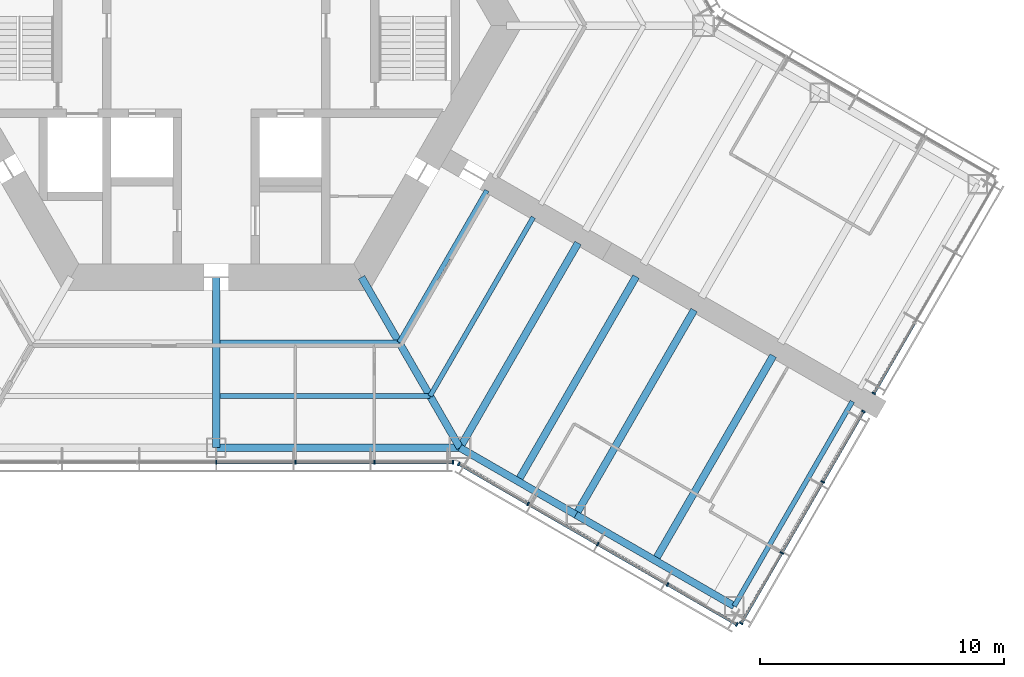
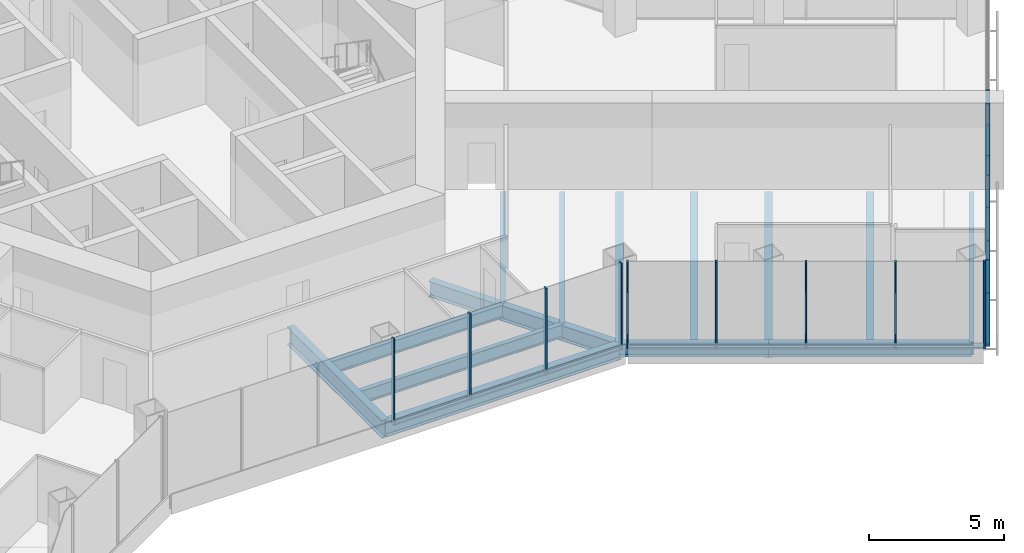
# One storey, part 5 of 18: 25 members, 14 beams, 4 elements without a shape of their own.
"""IFC4 building model written with IfcOpenShell, lengths in metres."""

from ifc_helpers import new_model, si_unit, direction, frame, origin, origin_2d, place, context, subcontext, project, spatial, rectangle, i_section, extrude, material, material_profile, profile_set, type_object, element, aggregate, save


model = new_model("IFC4")

# Units and contexts
model_context = context("Model", 3, precision=1e-05, world=origin(), true_north=direction((0.0, 1.0)))
body_context = subcontext(model_context, "Body", "Model", "MODEL_VIEW")
ifc_project = project(units=[si_unit("LENGTHUNIT", "METRE"), si_unit("AREAUNIT", "SQUARE_METRE"), si_unit("VOLUMEUNIT", "CUBIC_METRE"), si_unit("PLANEANGLEUNIT", "RADIAN"), si_unit("MASSUNIT", "GRAM", prefix="KILO")], contexts=[model_context])

# Site, building, storey
site_placement = place(None, origin())
site = spatial("IfcSite", under=ifc_project, at=site_placement, CompositionType="ELEMENT")
building_placement = place(site_placement, origin())
building = spatial("IfcBuilding", under=site, at=building_placement, Name="Kasaneha Research Tower", CompositionType="ELEMENT")
storey_placement = place(building_placement, frame((0.0, 0.0, 111.89990234375)))
storey = spatial("IfcBuildingStorey", under=building, at=storey_placement, Name="L28", CompositionType="ELEMENT", Elevation=111.89990234375)

# Beams
ifc_material_1 = material(Name="Steel SN490B", Category="steel")
ifc_material_profile_1 = material_profile(ifc_material_1, i_section(OverallWidth=0.199951171875, OverallDepth=0.60009765625, WebThickness=0.010986328125, FlangeThickness=0.01708984375, FilletRadius=0.012939453125, at=origin_2d()), Name="H-600x200x11x17")
ifc_profile_set_1 = profile_set([ifc_material_profile_1], Name="Steel SN490B")
beam_type_1 = type_object("IfcBeamType", Name="B1-3 secondary beam H-600x200x11x17", PredefinedType="JOIST", material=ifc_profile_set_1)
beam_1_placement = place(storey_placement, frame((7.505615234375, -13.0, -0.449951171875), z_axis=(-1.0, 0.0, 0.0), x_axis=(0.0, -1.0, 0.0)))
element("IfcBeam", 1, at=beam_1_placement, inside=storey, type_object=beam_type_1, Name="Secondary beam RS270R1 L28", PredefinedType="JOIST", context=body_context, shape_type="SweptSolid", body=[
    extrude(i_section(OverallWidth=0.199951171875, OverallDepth=0.60009765625, WebThickness=0.010986328125, FlangeThickness=0.01708984375, FilletRadius=0.012939453125, at=origin_2d()), origin(), (0.0, 0.0, 1.0), 7.355712890625),
])
beam_2_placement = place(storey_placement, frame((8.775634765625, -15.199951171875, -0.449951171875), z_axis=(-1.0, 0.0, 0.0), x_axis=(0.0, -1.0, 0.0)))
element("IfcBeam", 2, at=beam_2_placement, inside=storey, type_object=beam_type_1, Name="Secondary beam RS270R2 L28", PredefinedType="JOIST", context=body_context, shape_type="SweptSolid", body=[
    extrude(i_section(OverallWidth=0.199951171875, OverallDepth=0.60009765625, WebThickness=0.010986328125, FlangeThickness=0.01708984375, FilletRadius=0.012939453125, at=origin_2d()), origin(), (0.0, 0.0, 1.0), 8.625732421875),
])
beam_3_placement = place(storey_placement, frame((7.505615234375, -13.0, -0.449951171875), z_axis=(0.499998147991, 0.86602647304, 0.0), x_axis=(-0.86602647304, 0.499998147991, 0.0)))
element("IfcBeam", 3, at=beam_3_placement, inside=storey, type_object=beam_type_1, Name="Secondary beam RS330L1 L28", PredefinedType="JOIST", context=body_context, shape_type="SweptSolid", body=[
    extrude(i_section(OverallWidth=0.199951171875, OverallDepth=0.60009765625, WebThickness=0.010986328125, FlangeThickness=0.01708984375, FilletRadius=0.012939453125, at=origin_2d()), origin(), (0.0, 0.0, 1.0), 7.20556640625),
])
beam_4_placement = place(storey_placement, frame((8.775634765625, -15.199951171875, -0.449951171875), z_axis=(0.500020829043, 0.866013377797, 0.0), x_axis=(-0.866013377797, 0.500020829043, 0.0)))
element("IfcBeam", 4, at=beam_4_placement, inside=storey, type_object=beam_type_1, Name="Secondary beam RS330L2 L28", PredefinedType="JOIST", context=body_context, shape_type="SweptSolid", body=[
    extrude(i_section(OverallWidth=0.199951171875, OverallDepth=0.60009765625, WebThickness=0.010986328125, FlangeThickness=0.01708984375, FilletRadius=0.012939453125, at=origin_2d()), origin(), (0.0, 0.0, 1.0), 8.475830078125),
])
ifc_material_2 = material(Name="Steel SN490B", Category="steel")
ifc_material_profile_2 = material_profile(ifc_material_2, i_section(OverallWidth=0.300048828125, OverallDepth=0.58203125, WebThickness=0.011962890625, FlangeThickness=0.01708984375, FilletRadius=0.012939453125, at=origin_2d()), Name="H-582x300x12x17")
ifc_profile_set_2 = profile_set([ifc_material_profile_2], Name="Steel SN490B")
beam_type_2 = type_object("IfcBeamType", Name="B2-3 secondary beam H-582x300x12x17", PredefinedType="JOIST", material=ifc_profile_set_2)
for number, where, z_axis, x_axis, name in (
    (5, (12.381591796875, -18.695556640625, -0.44091796875), (0.500010041276, 0.866019606374, 0.0), (-0.866019606374, 0.500010041276, 0.0), "Secondary beam WBCP1 L28"),
    (6, (18.0107421875, -21.945556640625, -0.44091796875), (0.500010041276, 0.866019606374, 0.0), (-0.866019606374, 0.500010041276, 0.0), "Secondary beam WBCP2 L28"),
):
    element("IfcBeam", number, at=place(storey_placement, frame(where, z_axis=z_axis, x_axis=x_axis)), inside=storey, type_object=beam_type_2, Name=name, PredefinedType="JOIST", context=body_context, shape_type="SweptSolid", body=[
        extrude(i_section(OverallWidth=0.300048828125, OverallDepth=0.58203125, WebThickness=0.011962890625, FlangeThickness=0.01708984375, FilletRadius=0.012939453125, at=origin_2d()), origin(), (0.0, 0.0, 1.0), 9.699951171875),
    ])

# Curtain wall, members
ifc_material_3 = material(Name="Glass and aluminium", Category="aluminium")
curtain_wall_type = type_object("IfcCurtainWallType", Name="Low-rise office curtain wall", PredefinedType="USERDEFINED", material=ifc_material_3)
curtain_wall_1_placement = place(storey_placement, origin())
curtain_wall_1 = element("IfcCurtainWall", 7, at=curtain_wall_1_placement, inside=storey, type_object=curtain_wall_type, Name="CW-O1 L28 run 02a", ObjectType="UNITISED CURTAIN WALL", PredefinedType="USERDEFINED")
ifc_material_4 = material(Name="Aluminium 6063-T6", Category="aluminium")
ifc_material_profile_3 = material_profile(ifc_material_4, rectangle(XDim=0.06005859375, YDim=0.159912109375, at=origin_2d()), Name="CW-O1 mullion 60x160")
ifc_profile_set_3 = profile_set([ifc_material_profile_3], Name="Aluminium 6063-T6")
member_type_1 = type_object("IfcMemberType", Name="CW-O1 mullion", PredefinedType="MULLION", material=ifc_profile_set_3)
member_1_placement = place(storey_placement, frame((0.0, -17.92041015625, 0.0), z_axis=(0.0, 0.0, 1.0), x_axis=(1.0, 0.0, 0.0)))
member_1 = element("IfcMember", 8, at=member_1_placement, type_object=member_type_1, Name="CW-O1 mullion 4", PredefinedType="MULLION", context=body_context, shape_type="SweptSolid", body=[
    extrude(rectangle(XDim=0.06005859375, YDim=0.159912109375, at=origin_2d()), origin(), (0.0, 0.0, 1.0), 3.900146484375),
])
member_2_placement = place(storey_placement, frame((3.246337890625, -17.92041015625, 0.0), z_axis=(0.0, 0.0, 1.0), x_axis=(1.0, 0.0, 0.0)))
member_2 = element("IfcMember", 9, at=member_2_placement, type_object=member_type_1, Name="CW-O1 mullion 5", PredefinedType="MULLION", context=body_context, shape_type="SweptSolid", body=[
    extrude(rectangle(XDim=0.06005859375, YDim=0.159912109375, at=origin_2d()), origin(), (0.0, 0.0, 1.0), 3.900146484375),
])
member_3_placement = place(storey_placement, frame((6.492919921875, -17.92041015625, 0.0), z_axis=(0.0, 0.0, 1.0), x_axis=(1.0, 0.0, 0.0)))
member_3 = element("IfcMember", 10, at=member_3_placement, type_object=member_type_1, Name="CW-O1 mullion 6", PredefinedType="MULLION", context=body_context, shape_type="SweptSolid", body=[
    extrude(rectangle(XDim=0.06005859375, YDim=0.159912109375, at=origin_2d()), origin(), (0.0, 0.0, 1.0), 3.900146484375),
])
member_4_placement = place(storey_placement, frame((9.709228515625, -17.92041015625, 0.0), z_axis=(0.0, 0.0, 1.0), x_axis=(1.0, 0.0, 0.0)))
member_4 = element("IfcMember", 11, at=member_4_placement, type_object=member_type_1, Name="CW-O1 mullion 7", PredefinedType="MULLION", context=body_context, shape_type="SweptSolid", body=[
    extrude(rectangle(XDim=0.06005859375, YDim=0.159912109375, at=origin_2d()), origin(), (0.0, 0.0, 1.0), 3.900146484375),
])

curtain_wall_2_placement = place(storey_placement, origin())
curtain_wall_2 = element("IfcCurtainWall", 12, at=curtain_wall_2_placement, inside=storey, type_object=curtain_wall_type, Name="CW-O1 L28 run 03a", ObjectType="UNITISED CURTAIN WALL", PredefinedType="USERDEFINED")
member_5_placement = place(storey_placement, frame((9.951904296875, -17.985595703125, 0.0), z_axis=(0.0, 0.0, 1.0), x_axis=(0.866025411464, -0.499999986699, 0.0)))
member_5 = element("IfcMember", 13, at=member_5_placement, type_object=member_type_1, Name="CW-O1 mullion 1", PredefinedType="MULLION", context=body_context, shape_type="SweptSolid", body=[
    extrude(rectangle(XDim=0.06005859375, YDim=0.159912109375, at=origin_2d()), origin(), (0.0, 0.0, 1.0), 3.900146484375),
])
member_6_placement = place(storey_placement, frame((12.792236328125, -19.62548828125, 0.0), z_axis=(0.0, 0.0, 1.0), x_axis=(0.866025411464, -0.499999986699, 0.0)))
member_6 = element("IfcMember", 14, at=member_6_placement, type_object=member_type_1, Name="CW-O1 mullion 2", PredefinedType="MULLION", context=body_context, shape_type="SweptSolid", body=[
    extrude(rectangle(XDim=0.06005859375, YDim=0.159912109375, at=origin_2d()), origin(), (0.0, 0.0, 1.0), 3.900146484375),
])
member_7_placement = place(storey_placement, frame((15.65869140625, -21.2802734375, 0.0), z_axis=(0.0, 0.0, 1.0), x_axis=(0.866025411464, -0.499999986699, 0.0)))
member_7 = element("IfcMember", 15, at=member_7_placement, type_object=member_type_1, Name="CW-O1 mullion 3", PredefinedType="MULLION", context=body_context, shape_type="SweptSolid", body=[
    extrude(rectangle(XDim=0.06005859375, YDim=0.159912109375, at=origin_2d()), origin(), (0.0, 0.0, 1.0), 3.900146484375),
])
member_8_placement = place(storey_placement, frame((18.52490234375, -22.935302734375, 0.0), z_axis=(0.0, 0.0, 1.0), x_axis=(0.866025411464, -0.499999986699, 0.0)))
member_8 = element("IfcMember", 16, at=member_8_placement, type_object=member_type_1, Name="CW-O1 mullion 4", PredefinedType="MULLION", context=body_context, shape_type="SweptSolid", body=[
    extrude(rectangle(XDim=0.06005859375, YDim=0.159912109375, at=origin_2d()), origin(), (0.0, 0.0, 1.0), 3.900146484375),
])
member_9_placement = place(storey_placement, frame((21.365478515625, -24.5751953125, 0.0), z_axis=(0.0, 0.0, 1.0), x_axis=(0.866025411464, -0.499999986699, 0.0)))
member_9 = element("IfcMember", 17, at=member_9_placement, type_object=member_type_1, Name="CW-O1 mullion 5", PredefinedType="MULLION", context=body_context, shape_type="SweptSolid", body=[
    extrude(rectangle(XDim=0.06005859375, YDim=0.159912109375, at=origin_2d()), origin(), (0.0, 0.0, 1.0), 3.900146484375),
])

curtain_wall_3_placement = place(storey_placement, origin())
curtain_wall_3 = element("IfcCurtainWall", 18, at=curtain_wall_3_placement, inside=storey, type_object=curtain_wall_type, Name="CW-O1 L28 run 04a", ObjectType="UNITISED CURTAIN WALL", PredefinedType="USERDEFINED")
member_10_placement = place(storey_placement, frame((21.54296875, -24.527587890625, 0.0), z_axis=(0.0, 0.0, 1.0), x_axis=(0.500000011442, 0.866025397178, 0.0)))
member_10 = element("IfcMember", 19, at=member_10_placement, type_object=member_type_1, Name="CW-O1 mullion 1", PredefinedType="MULLION", context=body_context, shape_type="SweptSolid", body=[
    extrude(rectangle(XDim=0.06005859375, YDim=0.159912109375, at=origin_2d()), origin(), (0.0, 0.0, 1.0), 3.900146484375),
])
member_11_placement = place(storey_placement, frame((23.211181640625, -21.637939453125, 0.0), z_axis=(0.0, 0.0, 1.0), x_axis=(0.500000011442, 0.866025397178, 0.0)))
member_11 = element("IfcMember", 20, at=member_11_placement, type_object=member_type_1, Name="CW-O1 mullion 2", PredefinedType="MULLION", context=body_context, shape_type="SweptSolid", body=[
    extrude(rectangle(XDim=0.06005859375, YDim=0.159912109375, at=origin_2d()), origin(), (0.0, 0.0, 1.0), 3.900146484375),
])
member_12_placement = place(storey_placement, frame((24.89453125, -18.72216796875, 0.0), z_axis=(0.0, 0.0, 1.0), x_axis=(0.500000011442, 0.866025397178, 0.0)))
member_12 = element("IfcMember", 21, at=member_12_placement, type_object=member_type_1, Name="CW-O1 mullion 3", PredefinedType="MULLION", context=body_context, shape_type="SweptSolid", body=[
    extrude(rectangle(XDim=0.06005859375, YDim=0.159912109375, at=origin_2d()), origin(), (0.0, 0.0, 1.0), 3.900146484375),
])
member_13_placement = place(storey_placement, frame((26.56298828125, -15.832763671875, 0.0), z_axis=(0.0, 0.0, 1.0), x_axis=(0.500000011442, 0.866025397178, 0.0)))
member_13 = element("IfcMember", 22, at=member_13_placement, type_object=member_type_1, Name="CW-O1 mullion 4", PredefinedType="MULLION", context=body_context, shape_type="SweptSolid", body=[
    extrude(rectangle(XDim=0.06005859375, YDim=0.159912109375, at=origin_2d()), origin(), (0.0, 0.0, 1.0), 3.900146484375),
])

# Curtain wall, member
curtain_wall_4_placement = place(storey_placement, origin())
curtain_wall_4 = element("IfcCurtainWall", 23, at=curtain_wall_4_placement, inside=storey, type_object=curtain_wall_type, Name="CW-O1 L28 run 05a", ObjectType="UNITISED CURTAIN WALL", PredefinedType="USERDEFINED")
member_14_placement = place(storey_placement, frame((26.992919921875, -15.087890625, 0.0), z_axis=(0.0, 0.0, 1.0), x_axis=(0.500000011442, 0.866025397178, 0.0)))
member_14 = element("IfcMember", 24, at=member_14_placement, type_object=member_type_1, Name="CW-O1 mullion 1", PredefinedType="MULLION", context=body_context, shape_type="SweptSolid", body=[
    extrude(rectangle(XDim=0.06005859375, YDim=0.159912109375, at=origin_2d()), origin(), (0.0, 0.0, 1.0), 3.900146484375),
])

# Member
ifc_material_5 = material(Name="Aluminium 6063-T6", Category="aluminium")
ifc_material_profile_4 = material_profile(ifc_material_5, rectangle(XDim=0.1201171875, YDim=0.06005859375, at=origin_2d()), Name="CW-O1 transom 120x60")
ifc_profile_set_4 = profile_set([ifc_material_profile_4], Name="Aluminium 6063-T6")
member_type_2 = type_object("IfcMemberType", Name="CW-O1 transom", PredefinedType="USERDEFINED", material=ifc_profile_set_4)
member_15_placement = place(storey_placement, frame((0.030029296875, -17.92041015625, 0.030029296875), z_axis=(1.0, 0.0, 0.0), x_axis=(0.0, 1.0, 0.0)))
member_15 = element("IfcMember", 25, at=member_15_placement, type_object=member_type_2, Name="CW-O1 transom 4", ObjectType="TRANSOM", PredefinedType="USERDEFINED", context=body_context, shape_type="SweptSolid", body=[
    extrude(rectangle(XDim=0.1201171875, YDim=0.06005859375, at=origin_2d()), origin(), (0.0, 0.0, 1.0), 3.186279296875),
])

member_16_placement = place(storey_placement, frame((3.2763671875, -17.92041015625, 0.030029296875), z_axis=(1.0, 0.0, 0.0), x_axis=(0.0, 1.0, 0.0)))
member_16 = element("IfcMember", 26, at=member_16_placement, type_object=member_type_2, Name="CW-O1 transom 5", ObjectType="TRANSOM", PredefinedType="USERDEFINED", context=body_context, shape_type="SweptSolid", body=[
    extrude(rectangle(XDim=0.1201171875, YDim=0.06005859375, at=origin_2d()), origin(), (0.0, 0.0, 1.0), 3.1865234375),
])

member_17_placement = place(storey_placement, frame((6.522705078125, -17.92041015625, 0.030029296875), z_axis=(1.0, 0.0, 0.0), x_axis=(0.0, 1.0, 0.0)))
member_17 = element("IfcMember", 27, at=member_17_placement, type_object=member_type_2, Name="CW-O1 transom 6", ObjectType="TRANSOM", PredefinedType="USERDEFINED", context=body_context, shape_type="SweptSolid", body=[
    extrude(rectangle(XDim=0.1201171875, YDim=0.06005859375, at=origin_2d()), origin(), (0.0, 0.0, 1.0), 3.156494140625),
])

aggregate(curtain_wall_1, [member_1, member_2, member_3, member_4, member_15, member_16, member_17])

member_18_placement = place(storey_placement, frame((9.977783203125, -18.00048828125, 0.030029296875), z_axis=(0.866022692473, -0.500004696101, 0.0), x_axis=(0.500004696101, 0.866022692473, 0.0)))
member_18 = element("IfcMember", 28, at=member_18_placement, type_object=member_type_2, Name="CW-O1 transom 1", ObjectType="TRANSOM", PredefinedType="USERDEFINED", context=body_context, shape_type="SweptSolid", body=[
    extrude(rectangle(XDim=0.1201171875, YDim=0.06005859375, at=origin_2d()), origin(), (0.0, 0.0, 1.0), 3.2197265625),
])

member_19_placement = place(storey_placement, frame((12.818115234375, -19.640380859375, 0.030029296875), z_axis=(0.866015446554, -0.500017246033, 0.0), x_axis=(0.500017246033, 0.866015446554, 0.0)))
member_19 = element("IfcMember", 29, at=member_19_placement, type_object=member_type_2, Name="CW-O1 transom 2", ObjectType="TRANSOM", PredefinedType="USERDEFINED", context=body_context, shape_type="SweptSolid", body=[
    extrude(rectangle(XDim=0.1201171875, YDim=0.06005859375, at=origin_2d()), origin(), (0.0, 0.0, 1.0), 3.25),
])

member_20_placement = place(storey_placement, frame((15.6845703125, -21.29541015625, 0.030029296875), z_axis=(0.86604797581, -0.499960902066, 0.0), x_axis=(0.499960902066, 0.86604797581, 0.0)))
member_20 = element("IfcMember", 30, at=member_20_placement, type_object=member_type_2, Name="CW-O1 transom 3", ObjectType="TRANSOM", PredefinedType="USERDEFINED", context=body_context, shape_type="SweptSolid", body=[
    extrude(rectangle(XDim=0.1201171875, YDim=0.06005859375, at=origin_2d()), origin(), (0.0, 0.0, 1.0), 3.249755859375),
])

member_21_placement = place(storey_placement, frame((18.551025390625, -22.9501953125, 0.030029296875), z_axis=(0.866022692473, -0.500004696101, 0.0), x_axis=(0.500004696101, 0.866022692473, 0.0)))
member_21 = element("IfcMember", 31, at=member_21_placement, type_object=member_type_2, Name="CW-O1 transom 4", ObjectType="TRANSOM", PredefinedType="USERDEFINED", context=body_context, shape_type="SweptSolid", body=[
    extrude(rectangle(XDim=0.1201171875, YDim=0.06005859375, at=origin_2d()), origin(), (0.0, 0.0, 1.0), 3.2197265625),
])

aggregate(curtain_wall_2, [member_5, member_6, member_7, member_8, member_9, member_18, member_19, member_20, member_21])

member_22_placement = place(storey_placement, frame((21.557861328125, -24.50146484375, 0.030029296875), z_axis=(0.500025583411, 0.866010632691, 0.0), x_axis=(-0.866010632691, 0.500025583411, 0.0)))
member_22 = element("IfcMember", 32, at=member_22_placement, type_object=member_type_2, Name="CW-O1 transom 1", ObjectType="TRANSOM", PredefinedType="USERDEFINED", context=body_context, shape_type="SweptSolid", body=[
    extrude(rectangle(XDim=0.1201171875, YDim=0.06005859375, at=origin_2d()), origin(), (0.0, 0.0, 1.0), 3.276611328125),
])

member_23_placement = place(storey_placement, frame((23.226318359375, -21.61181640625, 0.030029296875), z_axis=(0.500014325468, 0.866017132814, 0.0), x_axis=(-0.866017132814, 0.500014325468, 0.0)))
member_23 = element("IfcMember", 33, at=member_23_placement, type_object=member_type_2, Name="CW-O1 transom 2", ObjectType="TRANSOM", PredefinedType="USERDEFINED", context=body_context, shape_type="SweptSolid", body=[
    extrude(rectangle(XDim=0.1201171875, YDim=0.06005859375, at=origin_2d()), origin(), (0.0, 0.0, 1.0), 3.306640625),
])

member_24_placement = place(storey_placement, frame((24.90966796875, -18.6962890625, 0.030029296875), z_axis=(0.499969700927, 0.866042896256, 0.0), x_axis=(-0.866042896256, 0.499969700927, 0.0)))
member_24 = element("IfcMember", 34, at=member_24_placement, type_object=member_type_2, Name="CW-O1 transom 3", ObjectType="TRANSOM", PredefinedType="USERDEFINED", context=body_context, shape_type="SweptSolid", body=[
    extrude(rectangle(XDim=0.1201171875, YDim=0.06005859375, at=origin_2d()), origin(), (0.0, 0.0, 1.0), 3.276611328125),
])

aggregate(curtain_wall_3, [member_10, member_11, member_12, member_13, member_22, member_23, member_24])

member_25_placement = place(storey_placement, frame((27.008056640625, -15.061767578125, 0.030029296875), z_axis=(0.499969700927, 0.866042896256, 0.0), x_axis=(-0.866042896256, 0.499969700927, 0.0)))
member_25 = element("IfcMember", 35, at=member_25_placement, type_object=member_type_2, Name="CW-O1 transom 1", ObjectType="TRANSOM", PredefinedType="USERDEFINED", context=body_context, shape_type="SweptSolid", body=[
    extrude(rectangle(XDim=0.1201171875, YDim=0.06005859375, at=origin_2d()), origin(), (0.0, 0.0, 1.0), 3.276611328125),
])

aggregate(curtain_wall_4, [member_14, member_25])

# Beams
ifc_material_6 = material(Name="Steel SN490B", Category="steel")
ifc_material_profile_5 = material_profile(ifc_material_6, i_section(OverallWidth=0.300048828125, OverallDepth=0.699951171875, WebThickness=0.012939453125, FlangeThickness=0.02392578125, FilletRadius=0.01806640625, at=origin_2d()), Name="H-700x300x13x24")
ifc_profile_set_5 = profile_set([ifc_material_profile_5], Name="Steel SN490B")
beam_type_3 = type_object("IfcBeamType", Name="G1-3 radial girder H-700x300x13x24", PredefinedType="BEAM", material=ifc_profile_set_5)
beam_5_placement = place(storey_placement, frame((5.961181640625, -10.324951171875, -0.5), z_axis=(0.49999105496, -0.866030568144, 0.0), x_axis=(0.866030568144, 0.49999105496, 0.0)))
element("IfcBeam", 36, at=beam_5_placement, inside=storey, type_object=beam_type_3, Name="Radial girder RV300 L28", PredefinedType="BEAM", context=body_context, shape_type="SweptSolid", body=[
    extrude(i_section(OverallWidth=0.300048828125, OverallDepth=0.699951171875, WebThickness=0.012939453125, FlangeThickness=0.02392578125, FilletRadius=0.01806640625, at=origin_2d()), origin(), (0.0, 0.0, 1.0), 8.077880859375),
])
ifc_material_7 = material(Name="Steel SN490B", Category="steel")
ifc_material_profile_6 = material_profile(ifc_material_7, i_section(OverallWidth=0.300048828125, OverallDepth=0.800048828125, WebThickness=0.013916015625, FlangeThickness=0.02587890625, FilletRadius=0.01806640625, at=origin_2d()), Name="H-800x300x14x26")
ifc_profile_set_6 = profile_set([ifc_material_profile_6], Name="Steel SN490B")
beam_type_4 = type_object("IfcBeamType", Name="G2-3 radial girder H-800x300x14x26", PredefinedType="BEAM", material=ifc_profile_set_6)
beam_6_placement = place(storey_placement, frame((0.0, -10.324951171875, -0.5498046875), z_axis=(0.0, -1.0, 0.0), x_axis=(1.0, 0.0, 0.0)))
element("IfcBeam", 37, at=beam_6_placement, inside=storey, type_object=beam_type_4, Name="Radial girder RM270 L28", PredefinedType="BEAM", context=body_context, shape_type="SweptSolid", body=[
    extrude(i_section(OverallWidth=0.300048828125, OverallDepth=0.800048828125, WebThickness=0.013916015625, FlangeThickness=0.02587890625, FilletRadius=0.01806640625, at=origin_2d()), origin(), (0.0, 0.0, 1.0), 6.99560546875),
])
ifc_material_8 = material(Name="Steel SN490B", Category="steel")
ifc_material_profile_7 = material_profile(ifc_material_8, i_section(OverallWidth=0.300048828125, OverallDepth=0.69189453125, WebThickness=0.012939453125, FlangeThickness=0.02001953125, FilletRadius=0.01806640625, at=origin_2d()), Name="H-692x300x13x20")
ifc_profile_set_7 = profile_set([ifc_material_profile_7], Name="Steel SN490B")
beam_type_5 = type_object("IfcBeamType", Name="G3-3 plate edge girder H-692x300x13x20", PredefinedType="BEAM", material=ifc_profile_set_7)
beam_7_placement = place(storey_placement, frame((10.0, -17.320556640625, -0.495849609375), z_axis=(0.500010041276, 0.866019606374, 0.0), x_axis=(-0.866019606374, 0.500010041276, 0.0)))
element("IfcBeam", 38, at=beam_7_placement, inside=storey, type_object=beam_type_5, Name="Plate edge girder PECP L28", PredefinedType="BEAM", context=body_context, shape_type="SweptSolid", body=[
    extrude(i_section(OverallWidth=0.300048828125, OverallDepth=0.69189453125, WebThickness=0.012939453125, FlangeThickness=0.02001953125, FilletRadius=0.01806640625, at=origin_2d()), origin(), (0.0, 0.0, 1.0), 9.699951171875),
])
ifc_material_9 = material(Name="Steel SN490B", Category="steel")
ifc_material_profile_8 = material_profile(ifc_material_9, i_section(OverallWidth=0.300048828125, OverallDepth=0.699951171875, WebThickness=0.012939453125, FlangeThickness=0.02392578125, FilletRadius=0.01806640625, at=origin_2d()), Name="H-700x300x13x24")
ifc_profile_set_8 = profile_set([ifc_material_profile_8], Name="Steel SN490B")
beam_type_6 = type_object("IfcBeamType", Name="G4-3 wing girder H-700x300x13x24", PredefinedType="BEAM", material=ifc_profile_set_8)
beam_8_placement = place(storey_placement, frame((14.76318359375, -20.070556640625, -0.5), z_axis=(0.499991164321, 0.866030505006, 0.0), x_axis=(-0.866030505006, 0.499991164321, 0.0)))
element("IfcBeam", 39, at=beam_8_placement, inside=storey, type_object=beam_type_6, Name="Wing girder WGCP L28", PredefinedType="BEAM", context=body_context, shape_type="SweptSolid", body=[
    extrude(i_section(OverallWidth=0.300048828125, OverallDepth=0.699951171875, WebThickness=0.012939453125, FlangeThickness=0.02392578125, FilletRadius=0.01806640625, at=origin_2d()), origin(), (0.0, 0.0, 1.0), 9.699951171875),
])
ifc_material_10 = material(Name="Steel SN490B", Category="steel")
ifc_material_profile_9 = material_profile(ifc_material_10, i_section(OverallWidth=0.300048828125, OverallDepth=0.69189453125, WebThickness=0.012939453125, FlangeThickness=0.02001953125, FilletRadius=0.01806640625, at=origin_2d()), Name="H-692x300x13x20")
ifc_profile_set_9 = profile_set([ifc_material_profile_9], Name="Steel SN490B")
beam_type_7 = type_object("IfcBeamType", Name="SB1-3 spandrel beam H-692x300x13x20", PredefinedType="SPANDREL", material=ifc_profile_set_9)
beam_9_placement = place(storey_placement, frame((10.0, -17.320556640625, -0.495849609375), z_axis=(-1.0, 0.0, 0.0), x_axis=(0.0, -1.0, 0.0)))
element("IfcBeam", 40, at=beam_9_placement, inside=storey, type_object=beam_type_7, Name="Spandrel beam SR270R L28", PredefinedType="SPANDREL", context=body_context, shape_type="SweptSolid", body=[
    extrude(i_section(OverallWidth=0.300048828125, OverallDepth=0.69189453125, WebThickness=0.012939453125, FlangeThickness=0.02001953125, FilletRadius=0.01806640625, at=origin_2d()), origin(), (0.0, 0.0, 1.0), 10.0),
])
ifc_material_11 = material(Name="Steel SN490B", Category="steel")
ifc_material_profile_10 = material_profile(ifc_material_11, i_section(OverallWidth=0.300048828125, OverallDepth=0.58203125, WebThickness=0.011962890625, FlangeThickness=0.01708984375, FilletRadius=0.012939453125, at=origin_2d()), Name="H-582x300x12x17")
ifc_profile_set_10 = profile_set([ifc_material_profile_10], Name="Steel SN490B")
beam_type_8 = type_object("IfcBeamType", Name="SB2-3 spandrel beam H-582x300x12x17", PredefinedType="SPANDREL", material=ifc_profile_set_10)
beam_10_placement = place(storey_placement, frame((10.0, -17.320556640625, -0.44091796875), z_axis=(0.866027397988, -0.499996545922, 0.0), x_axis=(0.499996545922, 0.866027397988, 0.0)))
element("IfcBeam", 41, at=beam_10_placement, inside=storey, type_object=beam_type_8, Name="Spandrel beam WSCP1 L28", PredefinedType="SPANDREL", context=body_context, shape_type="SweptSolid", body=[
    extrude(i_section(OverallWidth=0.300048828125, OverallDepth=0.58203125, WebThickness=0.011962890625, FlangeThickness=0.01708984375, FilletRadius=0.012939453125, at=origin_2d()), origin(), (0.0, 0.0, 1.0), 5.5),
])
beam_11_placement = place(storey_placement, frame((14.76318359375, -20.070556640625, -0.44091796875), z_axis=(0.866022959057, -0.500004234368, 0.0), x_axis=(0.500004234368, 0.866022959057, 0.0)))
element("IfcBeam", 42, at=beam_11_placement, inside=storey, type_object=beam_type_8, Name="Spandrel beam WSCP2 L28", PredefinedType="SPANDREL", context=body_context, shape_type="SweptSolid", body=[
    extrude(i_section(OverallWidth=0.300048828125, OverallDepth=0.58203125, WebThickness=0.011962890625, FlangeThickness=0.01708984375, FilletRadius=0.012939453125, at=origin_2d()), origin(), (0.0, 0.0, 1.0), 7.5),
])
ifc_material_12 = material(Name="Steel SN490B", Category="steel")
ifc_material_profile_11 = material_profile(ifc_material_12, i_section(OverallWidth=0.199951171875, OverallDepth=0.60009765625, WebThickness=0.010986328125, FlangeThickness=0.01708984375, FilletRadius=0.012939453125, at=origin_2d()), Name="H-600x200x11x17")
ifc_profile_set_11 = profile_set([ifc_material_profile_11], Name="Steel SN490B")
beam_type_9 = type_object("IfcBeamType", Name="SB3-3 spandrel beam H-600x200x11x17", PredefinedType="SPANDREL", material=ifc_profile_set_11)
beam_12_placement = place(storey_placement, frame((21.25830078125, -23.820556640625, -0.449951171875), z_axis=(0.500010041276, 0.866019606374, 0.0), x_axis=(-0.866019606374, 0.500010041276, 0.0)))
element("IfcBeam", 43, at=beam_12_placement, inside=storey, type_object=beam_type_9, Name="Spandrel beam WTCP L28", PredefinedType="SPANDREL", context=body_context, shape_type="SweptSolid", body=[
    extrude(i_section(OverallWidth=0.199951171875, OverallDepth=0.60009765625, WebThickness=0.010986328125, FlangeThickness=0.01708984375, FilletRadius=0.012939453125, at=origin_2d()), origin(), (0.0, 0.0, 1.0), 9.699951171875),
])

save(model, "model.ifc")
